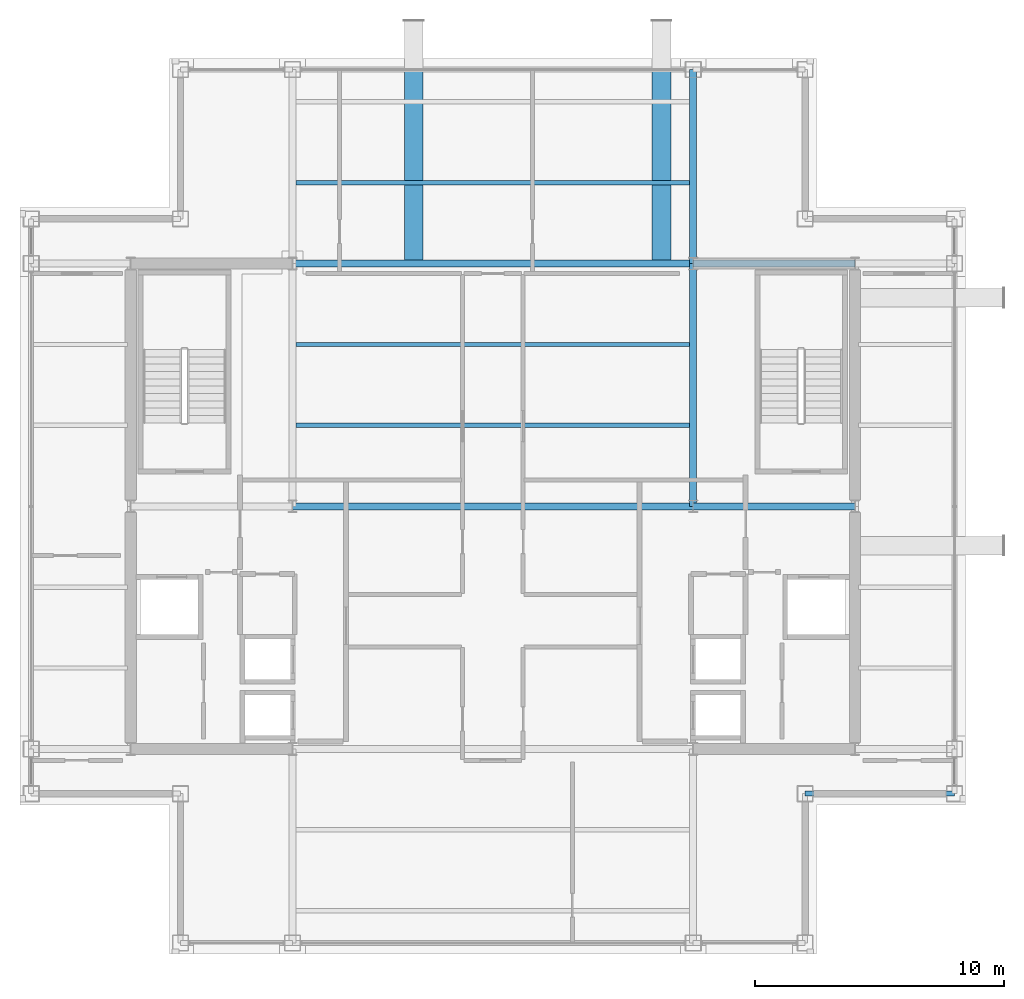
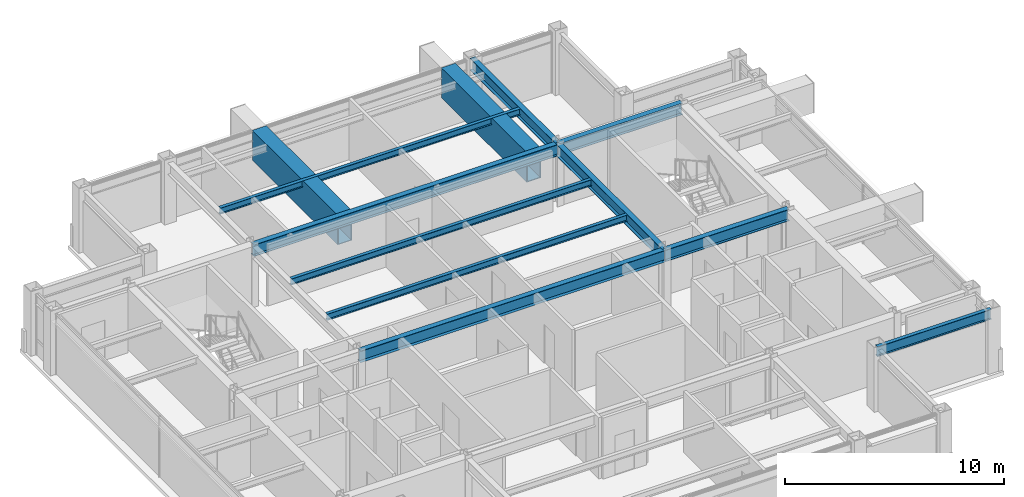
# One storey, part 9 of 20: 12 beams.
"""IFC4 building model written with IfcOpenShell, lengths in metres."""

import ifcopenshell
import ifcopenshell.guid

model = None  # the IFC model being written
_history = None  # IfcOwnerHistory: only IFC2X3 demands one
_inside = {}  # id of a spatial element -> (the spatial element, [elements in it])
_under = {}  # id of a project, library or spatial element -> (it, [spatial elements below it])
_declared = {}  # id of a project -> (the project, [libraries it declares])
_typed = {}  # id of a type object -> (the type object, [elements of that type])
_made_of = {}  # id of a material, layer set ... -> (it, [elements and type objects made of it])


def new_model(schema):
    """Start an empty IFC model of exactly this schema.

    Asked for "IFC4X3", IfcOpenShell would pick the latest addendum, in which some entities
    have other attributes; the version numbers below select the first issue.
    IFC2X3 requires an IfcOwnerHistory on every rooted entity: one is made here for all.
    """
    global model, _history
    if schema == "IFC4X3":
        model = ifcopenshell.file(schema_version=(4, 3, 0, 0))
    else:
        model = ifcopenshell.file(schema=schema)
    _inside.clear()
    _under.clear()
    _declared.clear()
    _typed.clear()
    _made_of.clear()
    _history = None
    if model.schema == "IFC2X3":
        org = make("IfcOrganization", Name="unknown")
        user = make(
            "IfcPersonAndOrganization",
            ThePerson=make("IfcPerson", FamilyName="unknown"),
            TheOrganization=org,
        )
        app = make(
            "IfcApplication",
            ApplicationDeveloper=org,
            Version="unknown",
            ApplicationFullName="unknown",
            ApplicationIdentifier="unknown",
        )
        _history = make(
            "IfcOwnerHistory",
            OwningUser=user,
            OwningApplication=app,
            ChangeAction="ADDED",
            CreationDate=0,
        )
    return model


def make(cls, **values):
    """One entity of the class cls with the attributes given. An attribute that is None is left unset."""
    return model.create_entity(
        cls, **{name: value for name, value in values.items() if value is not None}
    )


def rooted(cls, **values):
    """An entity with a GlobalId (a new one), such as an element, a storey or a relation."""
    return make(cls, GlobalId=ifcopenshell.guid.new(), OwnerHistory=_history, **values)


def si_unit(unit_type, name, prefix=None):
    """IfcSIUnit, for example si_unit("LENGTHUNIT", "METRE", prefix="MILLI")."""
    return make("IfcSIUnit", UnitType=unit_type, Prefix=prefix, Name=name)


def assignment(units):
    """IfcUnitAssignment: the units of a project."""
    return None if units is None else make("IfcUnitAssignment", Units=units)


def point(xyz):
    """IfcCartesianPoint."""
    return None if xyz is None else make("IfcCartesianPoint", Coordinates=xyz)


def direction(xyz):
    """IfcDirection."""
    return None if xyz is None else make("IfcDirection", DirectionRatios=xyz)


def frame(location, z_axis=None, x_axis=None):
    """IfcAxis2Placement3D, a coordinate frame: its origin and axes. An axis left out is left unset."""
    return make(
        "IfcAxis2Placement3D",
        Location=point(location),
        Axis=direction(z_axis),
        RefDirection=direction(x_axis),
    )


def frame_2d(location, x_axis=None):
    """IfcAxis2Placement2D, a coordinate frame in the plane: its origin and x axis."""
    return make(
        "IfcAxis2Placement2D", Location=point(location), RefDirection=direction(x_axis)
    )


def origin():
    """The frame at (0, 0, 0) with its axes left unset."""
    return frame((0.0, 0.0, 0.0))


def origin_2d():
    """The frame at (0, 0) in the plane with its x axis left unset."""
    return frame_2d((0.0, 0.0))


def place(relative_to, where):
    """IfcLocalPlacement: puts the frame where relative to a parent placement (None: the world)."""
    return make(
        "IfcLocalPlacement", PlacementRelTo=relative_to, RelativePlacement=where
    )


def context(
    kind, dimensions, precision=None, world=None, true_north=None, identifier=None
):
    """IfcGeometricRepresentationContext, for example the 3D "Model" context."""
    return make(
        "IfcGeometricRepresentationContext",
        ContextIdentifier=identifier,
        ContextType=kind,
        CoordinateSpaceDimension=dimensions,
        Precision=precision,
        WorldCoordinateSystem=world,
        TrueNorth=true_north,
    )


def subcontext(parent, identifier, kind, view, scale=None):
    """IfcGeometricRepresentationSubContext, for example "Body" below "Model"."""
    return make(
        "IfcGeometricRepresentationSubContext",
        ContextIdentifier=identifier,
        ContextType=kind,
        ParentContext=parent,
        TargetScale=scale,
        TargetView=view,
    )


def project(units=None, contexts=None):
    """IfcProject with its units and contexts."""
    return rooted(
        "IfcProject",
        Name="project",
        RepresentationContexts=contexts,
        UnitsInContext=assignment(units),
    )


def spatial(cls, under=None, at=None, **own):
    """A site, building, storey or space (cls), placed at a placement, below another one or the project."""
    s = rooted(cls, ObjectPlacement=at, **own)
    if under is not None:
        _under.setdefault(under.id(), (under, []))[1].append(s)
    return s


def profile(cls, at=None, kind="AREA", **sizes):
    """A parametric profile (cls). Its sizes go by their IFC names, for example OverallWidth=200.0."""
    return make(cls, ProfileType=kind, Position=at, **sizes)


def hollow_rectangle(**sizes):
    """IfcRectangleHollowProfileDef."""
    return profile("IfcRectangleHollowProfileDef", **sizes)


def i_section(**sizes):
    """IfcIShapeProfileDef."""
    return profile("IfcIShapeProfileDef", **sizes)


def extrude(swept, where, along, depth):
    """IfcExtrudedAreaSolid: the profile swept, set in the frame where, extruded along a direction by depth."""
    return make(
        "IfcExtrudedAreaSolid",
        SweptArea=swept,
        Position=where,
        ExtrudedDirection=direction(along),
        Depth=depth,
    )


def shape(context_of_items, identifier, shape_type, items):
    """IfcShapeRepresentation: the items that make up one representation, for example the "Body"."""
    return make(
        "IfcShapeRepresentation",
        ContextOfItems=context_of_items,
        RepresentationIdentifier=identifier,
        RepresentationType=shape_type,
        Items=items,
    )


def material(Name=None, Category=None):
    """IfcMaterial."""
    return make("IfcMaterial", Name=Name, Category=Category)


def material_profile(
    of_material, cross_section, Name=None, Category=None, Priority=None
):
    """IfcMaterialProfile: a cross section and its material."""
    return make(
        "IfcMaterialProfile",
        Name=Name,
        Material=of_material,
        Profile=cross_section,
        Priority=Priority,
        Category=Category,
    )


def profile_set(profiles, Name=None, composite=None):
    """IfcMaterialProfileSet."""
    return make(
        "IfcMaterialProfileSet",
        Name=Name,
        MaterialProfiles=profiles,
        CompositeProfile=composite,
    )


def made_of(thing, what):
    """Note that an element or type object is made of a material, layer set ...; save() writes the relation."""
    if what is not None:
        _made_of.setdefault(what.id(), (what, []))[1].append(thing)
    return thing


def type_object(cls, material=None, **own):
    """A type object (cls), such as IfcWallType, which elements share."""
    return made_of(rooted(cls, **own), material)


def element(
    cls,
    number,
    at=None,
    inside=None,
    cuts=None,
    type_object=None,
    material=None,
    context=None,
    identifier="Body",
    shape_type=None,
    held_by="IfcProductDefinitionShape",
    body=None,
    shapes=None,
    **own,
):
    """One element of the class cls, such as IfcWall. Its Tag is "e" and its number.

    at: its placement. inside: the storey or other place that contains it. cuts: it is an
    opening in that element (IfcRelVoidsElement). A single representation is given by context,
    identifier, shape_type and body (its items); several are given by shapes. held_by: the class
    of the entity that holds the representations. save() writes the other relations.
    """
    e = rooted(cls, Tag="e%d" % number, ObjectPlacement=at, **own)
    if body is not None:
        shapes = [shape(context, identifier, shape_type, body)]
    if shapes is not None:
        e.Representation = make(held_by, Representations=shapes)
    if inside is not None:
        _inside.setdefault(inside.id(), (inside, []))[1].append(e)
    if cuts is not None:
        rooted(
            "IfcRelVoidsElement", RelatingBuildingElement=cuts, RelatedOpeningElement=e
        )
    if type_object is not None:
        _typed.setdefault(type_object.id(), (type_object, []))[1].append(e)
    return made_of(e, material)


def aggregate(whole, parts):
    """IfcRelAggregates: a whole, such as a stair, and the parts it consists of."""
    return rooted("IfcRelAggregates", RelatingObject=whole, RelatedObjects=parts)


def save(model, path):
    """Write the relations noted so far, then the file.

    IfcRelAggregates (storeys below a building ...), IfcRelContainedInSpatialStructure (elements
    in a storey), IfcRelDefinesByType, IfcRelAssociatesMaterial and IfcRelDeclares: one each for
    every whole, place, type object, material and project.
    """
    for whole, parts in _under.values():
        aggregate(whole, parts)
    for where, things in _inside.values():
        rooted(
            "IfcRelContainedInSpatialStructure",
            RelatedElements=things,
            RelatingStructure=where,
        )
    for kind, things in _typed.values():
        rooted("IfcRelDefinesByType", RelatedObjects=things, RelatingType=kind)
    for what, things in _made_of.values():
        rooted("IfcRelAssociatesMaterial", RelatedObjects=things, RelatingMaterial=what)
    for by, libraries in _declared.values():
        rooted("IfcRelDeclares", RelatingContext=by, RelatedDefinitions=libraries)
    model.write(path)


model = new_model("IFC4")

# Units and contexts
model_context = context("Model", 3, precision=1e-05, world=origin(), true_north=direction((0.0, 1.0)))
body_context = subcontext(model_context, "Body", "Model", "MODEL_VIEW")
ifc_project = project(units=[si_unit("LENGTHUNIT", "METRE"), si_unit("AREAUNIT", "SQUARE_METRE"), si_unit("VOLUMEUNIT", "CUBIC_METRE"), si_unit("PLANEANGLEUNIT", "RADIAN"), si_unit("MASSUNIT", "GRAM", prefix="KILO")], contexts=[model_context])

# Site, building, storey
site_placement = place(None, origin())
site = spatial("IfcSite", under=ifc_project, at=site_placement, CompositionType="ELEMENT")
building_placement = place(site_placement, origin())
building = spatial("IfcBuilding", under=site, at=building_placement, Name="Brelmoor Portico Tower", CompositionType="ELEMENT")
storey_placement = place(building_placement, frame((0.0, 0.0, 218.39990234375)))
storey = spatial("IfcBuildingStorey", under=building, at=storey_placement, Name="L57", CompositionType="ELEMENT", Elevation=218.39990234375)

# Beams
ifc_material = material(Name="Steel Q355B", Category="steel")
ifc_material_profile_1 = material_profile(ifc_material, i_section(OverallWidth=0.175048828125, OverallDepth=0.35009765625, WebThickness=0.007080078125, FlangeThickness=0.010986328125, at=origin_2d()), Name="HN 350x175x7x11")
ifc_profile_set_1 = profile_set([ifc_material_profile_1], Name="Steel Q355B")
beam_type_1 = type_object("IfcBeamType", Name="BM-JS-350", PredefinedType="JOIST", material=ifc_profile_set_1)
for number, where, z_axis, x_axis, name in (
    (1, (-7.909912109375, 3.25, 3.22509765625), (1.0, 0.0, 0.0), (0.0, 1.0, 0.0), "L57 Secondary Composite Joist JS-C03"),
    (2, (-7.909912109375, 6.5, 3.22509765625), (1.0, 0.0, 0.0), (0.0, 1.0, 0.0), "L57 Secondary Composite Joist JS-C04"),
    (3, (-7.909912109375, 13.0, 3.22509765625), (1.0, 0.0, 0.0), (0.0, 1.0, 0.0), "L57 Secondary Composite Joist JS-C05"),
):
    element("IfcBeam", number, at=place(storey_placement, frame(where, z_axis=z_axis, x_axis=x_axis)), inside=storey, type_object=beam_type_1, Name=name, PredefinedType="JOIST", context=body_context, shape_type="SweptSolid", body=[
        extrude(i_section(OverallWidth=0.175048828125, OverallDepth=0.35009765625, WebThickness=0.007080078125, FlangeThickness=0.010986328125, at=origin_2d()), origin(), (0.0, 0.0, 1.0), 15.81982421875),
    ])
ifc_material_profile_2 = material_profile(ifc_material, i_section(OverallWidth=0.280029296875, OverallDepth=0.64990234375, WebThickness=0.012939453125, FlangeThickness=0.02197265625, at=origin_2d()), Name="HN 650x280x13x22")
ifc_profile_set_2 = profile_set([ifc_material_profile_2], Name="Steel Q355B")
beam_type_2 = type_object("IfcBeamType", Name="BM-PG-650", PredefinedType="BEAM", material=ifc_profile_set_2)
beam_1_placement = place(storey_placement, frame((8.050048828125, 0.0, 3.0751953125), z_axis=(0.0, 1.0, 0.0), x_axis=(-1.0, 0.0, 0.0)))
element("IfcBeam", 4, at=beam_1_placement, inside=storey, type_object=beam_type_2, Name="L57 Primary Floor Girder PG-07", PredefinedType="BEAM", context=body_context, shape_type="SweptSolid", body=[
    extrude(i_section(OverallWidth=0.280029296875, OverallDepth=0.64990234375, WebThickness=0.012939453125, FlangeThickness=0.02197265625, at=origin_2d()), origin(), (0.0, 0.0, 1.0), 9.75),
])
beam_2_placement = place(storey_placement, frame((8.050048828125, 9.75, 3.0751953125), z_axis=(0.0, 1.0, 0.0), x_axis=(-1.0, 0.0, 0.0)))
element("IfcBeam", 5, at=beam_2_placement, inside=storey, type_object=beam_type_2, Name="L57 Primary Floor Girder PG-08", PredefinedType="BEAM", context=body_context, shape_type="SweptSolid", body=[
    extrude(i_section(OverallWidth=0.280029296875, OverallDepth=0.64990234375, WebThickness=0.012939453125, FlangeThickness=0.02197265625, at=origin_2d()), origin(), (0.0, 0.0, 1.0), 7.800048828125),
])
beam_3_placement = place(storey_placement, frame((-8.050048828125, 0.0, 3.0751953125), z_axis=(1.0, 0.0, 0.0), x_axis=(0.0, 1.0, 0.0)))
element("IfcBeam", 6, at=beam_3_placement, inside=storey, type_object=beam_type_2, Name="L57 Primary Floor Girder PG-17", PredefinedType="BEAM", context=body_context, shape_type="SweptSolid", body=[
    extrude(i_section(OverallWidth=0.280029296875, OverallDepth=0.64990234375, WebThickness=0.012939453125, FlangeThickness=0.02197265625, at=origin_2d()), origin(), (0.0, 0.0, 1.0), 16.10009765625),
])
beam_4_placement = place(storey_placement, frame((8.050048828125, 0.0, 3.0751953125), z_axis=(1.0, 0.0, 0.0), x_axis=(0.0, 1.0, 0.0)))
element("IfcBeam", 7, at=beam_4_placement, inside=storey, type_object=beam_type_2, Name="L57 Primary Floor Girder PG-18", PredefinedType="BEAM", context=body_context, shape_type="SweptSolid", body=[
    extrude(i_section(OverallWidth=0.280029296875, OverallDepth=0.64990234375, WebThickness=0.012939453125, FlangeThickness=0.02197265625, at=origin_2d()), origin(), (0.0, 0.0, 1.0), 6.5),
])
beam_5_placement = place(storey_placement, frame((-8.050048828125, 9.75, 3.0751953125), z_axis=(1.0, 0.0, 0.0), x_axis=(0.0, 1.0, 0.0)))
element("IfcBeam", 8, at=beam_5_placement, inside=storey, type_object=beam_type_2, Name="L57 Primary Floor Girder PG-21", PredefinedType="BEAM", context=body_context, shape_type="SweptSolid", body=[
    extrude(i_section(OverallWidth=0.280029296875, OverallDepth=0.64990234375, WebThickness=0.012939453125, FlangeThickness=0.02197265625, at=origin_2d()), origin(), (0.0, 0.0, 1.0), 16.10009765625),
])
beam_6_placement = place(storey_placement, frame((8.050048828125, 9.75, 3.0751953125), z_axis=(1.0, 0.0, 0.0), x_axis=(0.0, 1.0, 0.0)))
element("IfcBeam", 9, at=beam_6_placement, inside=storey, type_object=beam_type_2, Name="L57 Primary Floor Girder PG-22", PredefinedType="BEAM", context=body_context, shape_type="SweptSolid", body=[
    extrude(i_section(OverallWidth=0.280029296875, OverallDepth=0.64990234375, WebThickness=0.012939453125, FlangeThickness=0.02197265625, at=origin_2d()), origin(), (0.0, 0.0, 1.0), 6.5),
])
ifc_material_profile_3 = material_profile(ifc_material, i_section(OverallWidth=0.199951171875, OverallDepth=0.550048828125, WebThickness=0.010009765625, FlangeThickness=0.01611328125, at=origin_2d()), Name="HN 550x200x10x16")
ifc_profile_set_3 = profile_set([ifc_material_profile_3], Name="Steel Q355B")
beam_type_3 = type_object("IfcBeamType", Name="BM-SP-550", PredefinedType="SPANDREL", material=ifc_profile_set_3)
beam_7_placement = place(storey_placement, frame((12.550048828125, -11.550048828125, 3.125), z_axis=(1.0, 0.0, 0.0), x_axis=(0.0, 1.0, 0.0)))
element("IfcBeam", 10, at=beam_7_placement, inside=storey, type_object=beam_type_3, Name="L57 Perimeter Spandrel Beam SP-05", PredefinedType="SPANDREL", context=body_context, shape_type="SweptSolid", body=[
    extrude(i_section(OverallWidth=0.199951171875, OverallDepth=0.550048828125, WebThickness=0.010009765625, FlangeThickness=0.01611328125, at=origin_2d()), origin(), (0.0, 0.0, 1.0), 6.0),
])
ifc_material_profile_4 = material_profile(ifc_material, hollow_rectangle(XDim=0.75, YDim=1.659912109375, WallThickness=0.0419921875, at=origin_2d()), Name="BOX 750x1660x42")
ifc_profile_set_4 = profile_set([ifc_material_profile_4], Name="Steel Q355B")
beam_type_4 = type_object("IfcBeamType", Name="BM-TG-Z2", PredefinedType="BEAM", material=ifc_profile_set_4)
for number, where, z_axis, x_axis, name in (
    (11, (-3.179931640625, 9.75, 2.570068359375), (0.0, 1.0, 0.0), (-1.0, 0.0, 0.0), "L57 Picture-Frame Backspan Transfer Girder PFBS-01"),
    (12, (6.780029296875, 9.75, 2.570068359375), (0.0, 1.0, 0.0), (-1.0, 0.0, 0.0), "L57 Picture-Frame Backspan Transfer Girder PFBS-02"),
):
    element("IfcBeam", number, at=place(storey_placement, frame(where, z_axis=z_axis, x_axis=x_axis)), inside=storey, type_object=beam_type_4, Name=name, PredefinedType="BEAM", context=body_context, shape_type="SweptSolid", body=[
        extrude(hollow_rectangle(XDim=0.75, YDim=1.659912109375, WallThickness=0.0419921875, at=origin_2d()), origin(), (0.0, 0.0, 1.0), 7.800048828125),
    ])

save(model, "model.ifc")
